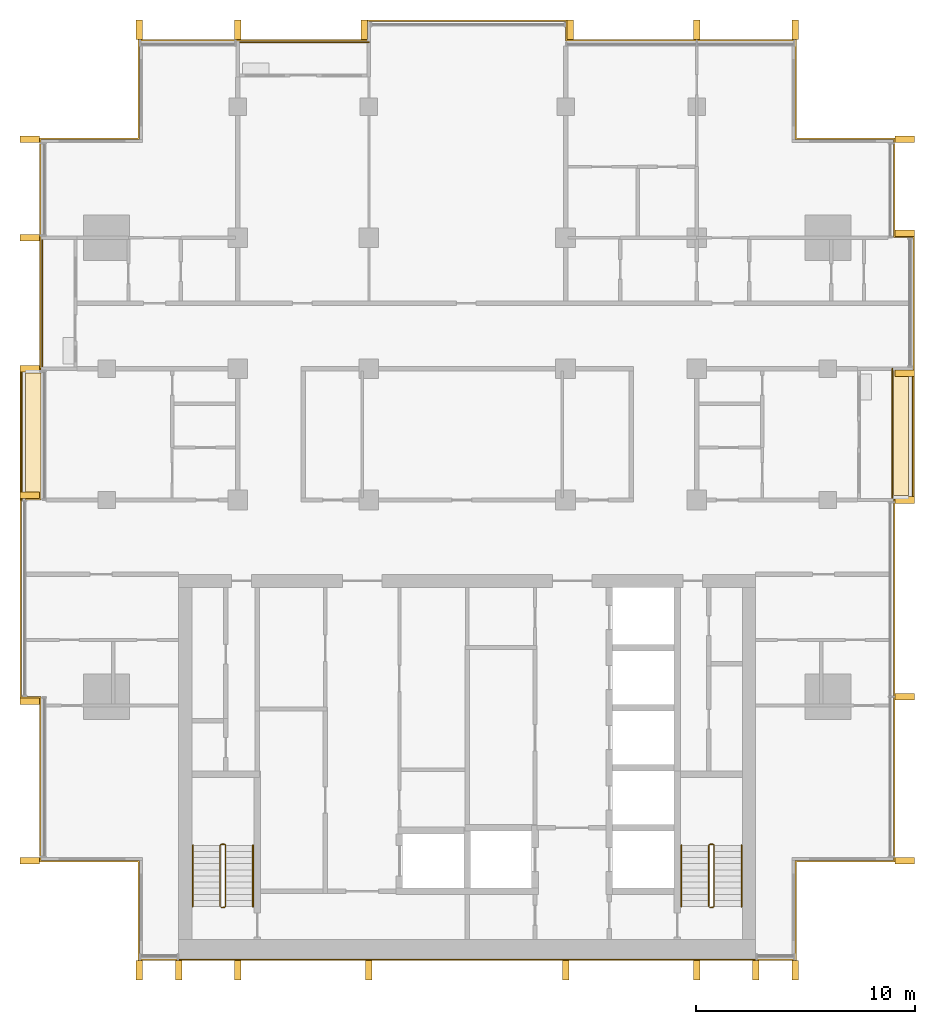
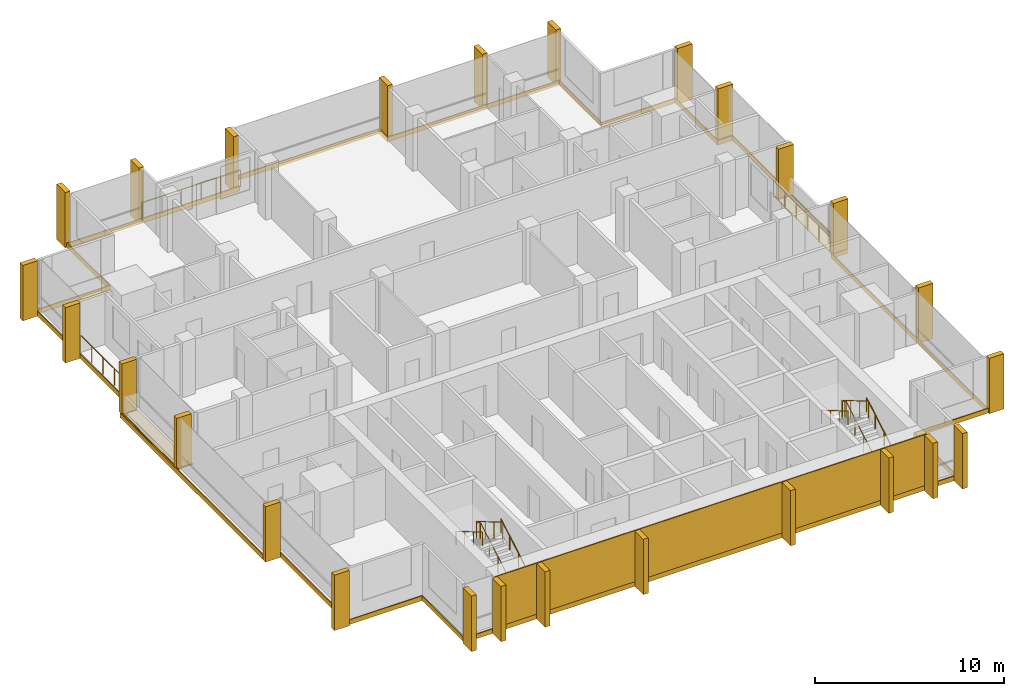
# One storey, part 16 of 16: 26 shading devices, 9 coverings, 9 railings.
"""IFC4 building model written with IfcOpenShell, lengths in metres."""

from ifc_helpers import new_model, si_unit, direction, frame, origin, origin_2d, place, context, subcontext, project, spatial, polyline, rectangle, circle, outline, extrude, material, layer, layer_set, type_object, element, save


model = new_model("IFC4")

# Units and contexts
model_context = context("Model", 3, precision=1e-05, world=origin(), true_north=direction((0.0, 1.0)))
body_context = subcontext(model_context, "Body", "Model", "MODEL_VIEW")
ifc_project = project(units=[si_unit("LENGTHUNIT", "METRE"), si_unit("AREAUNIT", "SQUARE_METRE"), si_unit("VOLUMEUNIT", "CUBIC_METRE"), si_unit("PLANEANGLEUNIT", "RADIAN"), si_unit("MASSUNIT", "GRAM", prefix="KILO")], contexts=[model_context])

# Site, building, storey
site_placement = place(None, origin())
site = spatial("IfcSite", under=ifc_project, at=site_placement, CompositionType="ELEMENT")
building_placement = place(site_placement, origin())
building = spatial("IfcBuilding", under=site, at=building_placement, Name="Finial Court Residences", CompositionType="ELEMENT")
storey_placement = place(building_placement, frame((0.0, 0.0, 208.699951171875)))
storey = spatial("IfcBuildingStorey", under=building, at=storey_placement, Name="L52", CompositionType="ELEMENT", Elevation=208.699951171875)

# Railings
ifc_material_1 = material(Name="Bronze anodised aluminium", Category="aluminium")
railing_type_1 = type_object("IfcRailingType", Name="Balcony guard 1100", PredefinedType="GUARDRAIL", material=ifc_material_1)
railing_1_placement = place(storey_placement, frame((-10.5, 16.449951171875, 0.0)))
element("IfcRailing", 1, at=railing_1_placement, inside=storey, type_object=railing_type_1, Name="E-L52-BALN2-R", PredefinedType="GUARDRAIL", context=body_context, shape_type="SweptSolid", body=[
    extrude(circle(Radius=0.02392578125, at=origin_2d()), frame((0.0, 0.0, 1.076171875), z_axis=(1.0, 0.0, 0.0), x_axis=(0.0, 1.0, 0.0)), (0.0, 0.0, 1.0), 6.0),
    extrude(circle(Radius=0.02099609375, at=origin_2d()), origin(), (0.0, 0.0, 1.0), 1.052001953125),
    extrude(circle(Radius=0.02099609375, at=origin_2d()), frame((1.199951171875, 0.0, 0.0)), (0.0, 0.0, 1.0), 1.052001953125),
    extrude(circle(Radius=0.02099609375, at=origin_2d()), frame((2.39990234375, 0.0, 0.0)), (0.0, 0.0, 1.0), 1.052001953125),
    extrude(circle(Radius=0.02099609375, at=origin_2d()), frame((3.60009765625, 0.0, 0.0)), (0.0, 0.0, 1.0), 1.052001953125),
    extrude(circle(Radius=0.02099609375, at=origin_2d()), frame((4.800048828125, 0.0, 0.0)), (0.0, 0.0, 1.0), 1.052001953125),
    extrude(circle(Radius=0.02099609375, at=origin_2d()), frame((6.0, 0.0, 0.0)), (0.0, 0.0, 1.0), 1.052001953125),
])
for number, where, name in (
    (2, (19.449951171875, -4.5, 0.0), "E-L52-BALE3-R"),
    (3, (-19.449951171875, 1.5, 0.0), "E-L52-BALW4-R"),
):
    element("IfcRailing", number, at=place(storey_placement, frame(where)), inside=storey, type_object=railing_type_1, Name=name, PredefinedType="GUARDRAIL", context=body_context, shape_type="SweptSolid", body=[
        extrude(circle(Radius=0.02392578125, at=origin_2d()), frame((0.0, 0.0, 1.076171875), z_axis=(0.0, 1.0, 0.0), x_axis=(-1.0, 0.0, 0.0)), (0.0, 0.0, 1.0), 6.0),
        extrude(circle(Radius=0.02099609375, at=origin_2d()), origin(), (0.0, 0.0, 1.0), 1.052001953125),
        extrude(circle(Radius=0.02099609375, at=origin_2d()), frame((0.0, 1.199951171875, 0.0)), (0.0, 0.0, 1.0), 1.052001953125),
        extrude(circle(Radius=0.02099609375, at=origin_2d()), frame((0.0, 2.39990234375, 0.0)), (0.0, 0.0, 1.0), 1.052001953125),
        extrude(circle(Radius=0.02099609375, at=origin_2d()), frame((0.0, 3.60009765625, 0.0)), (0.0, 0.0, 1.0), 1.052001953125),
        extrude(circle(Radius=0.02099609375, at=origin_2d()), frame((0.0, 4.800048828125, 0.0)), (0.0, 0.0, 1.0), 1.052001953125),
        extrude(circle(Radius=0.02099609375, at=origin_2d()), frame((0.0, 6.0, 0.0)), (0.0, 0.0, 1.0), 1.052001953125),
    ])

# Coverings
ifc_material_2 = material(Name="Natural limestone", Category="masonry")
ifc_layer_1 = layer(ifc_material_2, 0.06005859375)
ifc_layer_set_1 = layer_set([ifc_layer_1], Name="Limestone cladding to the blind core face 60")
covering_type_1 = type_object("IfcCoveringType", Name="Limestone cladding to the blind core face 60", PredefinedType="CLADDING", material=ifc_layer_set_1)
covering_1_placement = place(storey_placement, origin())
element("IfcCovering", 4, at=covering_1_placement, inside=storey, type_object=covering_type_1, Name="E-L52-CLAD1", PredefinedType="CLADDING", context=body_context, shape_type="SweptSolid", body=[
    extrude(outline(polyline([(-10.5, -25.56005859375), (-10.5, -25.5), (-13.199951171875, -25.5), (-13.199951171875, -25.56005859375), (-10.5, -25.56005859375)])), origin(), (0.0, 0.0, 1.0), 3.300048828125),
])
covering_2_placement = place(storey_placement, origin())
element("IfcCovering", 5, at=covering_2_placement, inside=storey, type_object=covering_type_1, Name="E-L52-CLAD2", PredefinedType="CLADDING", context=body_context, shape_type="SweptSolid", body=[
    extrude(outline(polyline([(-4.5, -25.56005859375), (-4.5, -25.5), (-10.5, -25.5), (-10.5, -25.56005859375), (-4.5, -25.56005859375)])), origin(), (0.0, 0.0, 1.0), 3.300048828125),
])
covering_3_placement = place(storey_placement, origin())
element("IfcCovering", 6, at=covering_3_placement, inside=storey, type_object=covering_type_1, Name="E-L52-CLAD3", PredefinedType="CLADDING", context=body_context, shape_type="SweptSolid", body=[
    extrude(outline(polyline([(4.5, -25.56005859375), (4.5, -25.5), (-4.5, -25.5), (-4.5, -25.56005859375), (4.5, -25.56005859375)])), origin(), (0.0, 0.0, 1.0), 3.300048828125),
])
covering_4_placement = place(storey_placement, origin())
element("IfcCovering", 7, at=covering_4_placement, inside=storey, type_object=covering_type_1, Name="E-L52-CLAD4", PredefinedType="CLADDING", context=body_context, shape_type="SweptSolid", body=[
    extrude(outline(polyline([(10.5, -25.56005859375), (10.5, -25.5), (4.5, -25.5), (4.5, -25.56005859375), (10.5, -25.56005859375)])), origin(), (0.0, 0.0, 1.0), 3.300048828125),
])
covering_5_placement = place(storey_placement, origin())
element("IfcCovering", 8, at=covering_5_placement, inside=storey, type_object=covering_type_1, Name="E-L52-CLAD5", PredefinedType="CLADDING", context=body_context, shape_type="SweptSolid", body=[
    extrude(outline(polyline([(13.199951171875, -25.56005859375), (13.199951171875, -25.5), (10.5, -25.5), (10.5, -25.56005859375), (13.199951171875, -25.56005859375)])), origin(), (0.0, 0.0, 1.0), 3.300048828125),
])

# Shading devices
shading_device_type = type_object("IfcShadingDeviceType", Name="Limestone fin 300 x 900", PredefinedType="USERDEFINED", material=ifc_material_2)
for number, where, z_axis, x_axis, name in (
    (9, (-15.0, 17.010009765625, -0.300048828125), (0.0, 0.0, 1.0), (1.0, 0.0, 0.0), "E-L52-FIN-N1"),
    (10, (-10.5, 17.010009765625, -0.300048828125), (0.0, 0.0, 1.0), (1.0, 0.0, 0.0), "E-L52-FIN-N2"),
    (11, (-4.7099609375, 17.010009765625, -0.300048828125), (0.0, 0.0, 1.0), (1.0, 0.0, 0.0), "E-L52-FIN-N3"),
    (12, (4.7099609375, 17.010009765625, -0.300048828125), (0.0, 0.0, 1.0), (1.0, 0.0, 0.0), "E-L52-FIN-N4"),
    (13, (10.5, 17.010009765625, -0.300048828125), (0.0, 0.0, 1.0), (1.0, 0.0, 0.0), "E-L52-FIN-N5"),
    (14, (15.0, 17.010009765625, -0.300048828125), (0.0, 0.0, 1.0), (1.0, 0.0, 0.0), "E-L52-FIN-N6"),
):
    element("IfcShadingDevice", number, at=place(storey_placement, frame(where, z_axis=z_axis, x_axis=x_axis)), inside=storey, type_object=shading_device_type, Name=name, ObjectType="FIN", PredefinedType="USERDEFINED", context=body_context, shape_type="SweptSolid", body=[
        extrude(rectangle(XDim=0.300048828125, YDim=0.89990234375, at=origin_2d()), origin(), (0.0, 0.0, 1.0), 3.580078125),
    ])
for number, where, z_axis, x_axis, name in (
    (15, (20.010009765625, -21.0, -0.300048828125), (0.0, 0.0, 1.0), (1.0, 0.0, 0.0), "E-L52-FIN-E7"),
    (16, (20.010009765625, -13.5, -0.300048828125), (0.0, 0.0, 1.0), (1.0, 0.0, 0.0), "E-L52-FIN-E8"),
):
    element("IfcShadingDevice", number, at=place(storey_placement, frame(where, z_axis=z_axis, x_axis=x_axis)), inside=storey, type_object=shading_device_type, Name=name, ObjectType="FIN", PredefinedType="USERDEFINED", context=body_context, shape_type="SweptSolid", body=[
        extrude(rectangle(XDim=0.89990234375, YDim=0.300048828125, at=origin_2d()), origin(), (0.0, 0.0, 1.0), 3.580078125),
    ])
for number, where, z_axis, x_axis, name in (
    (17, (20.010009765625, -4.5, 0.0400390625), (0.0, 0.0, 1.0), (1.0, 0.0, 0.0), "E-L52-FIN-E9"),
    (18, (20.010009765625, 1.2900390625, 0.0400390625), (0.0, 0.0, 1.0), (1.0, 0.0, 0.0), "E-L52-FIN-E10"),
):
    element("IfcShadingDevice", number, at=place(storey_placement, frame(where, z_axis=z_axis, x_axis=x_axis)), inside=storey, type_object=shading_device_type, Name=name, ObjectType="FIN", PredefinedType="USERDEFINED", context=body_context, shape_type="SweptSolid", body=[
        extrude(rectangle(XDim=0.89990234375, YDim=0.300048828125, at=origin_2d()), origin(), (0.0, 0.0, 1.0), 3.239990234375),
    ])
for number, where, z_axis, x_axis, name in (
    (19, (20.010009765625, 7.7099609375, -0.300048828125), (0.0, 0.0, 1.0), (1.0, 0.0, 0.0), "E-L52-FIN-E11"),
    (20, (20.010009765625, 12.0, -0.300048828125), (0.0, 0.0, 1.0), (1.0, 0.0, 0.0), "E-L52-FIN-E12"),
):
    element("IfcShadingDevice", number, at=place(storey_placement, frame(where, z_axis=z_axis, x_axis=x_axis)), inside=storey, type_object=shading_device_type, Name=name, ObjectType="FIN", PredefinedType="USERDEFINED", context=body_context, shape_type="SweptSolid", body=[
        extrude(rectangle(XDim=0.89990234375, YDim=0.300048828125, at=origin_2d()), origin(), (0.0, 0.0, 1.0), 3.580078125),
    ])
for number, where, z_axis, x_axis, name in (
    (21, (-15.0, -26.010009765625, -0.300048828125), (0.0, 0.0, 1.0), (1.0, 0.0, 0.0), "E-L52-FIN-S13"),
    (22, (-13.199951171875, -26.010009765625, -0.300048828125), (0.0, 0.0, 1.0), (1.0, 0.0, 0.0), "E-L52-FIN-S14"),
    (23, (-10.5, -26.010009765625, -0.300048828125), (0.0, 0.0, 1.0), (1.0, 0.0, 0.0), "E-L52-FIN-S15"),
    (24, (-4.5, -26.010009765625, -0.300048828125), (0.0, 0.0, 1.0), (1.0, 0.0, 0.0), "E-L52-FIN-S16"),
    (25, (4.5, -26.010009765625, -0.300048828125), (0.0, 0.0, 1.0), (1.0, 0.0, 0.0), "E-L52-FIN-S17"),
    (26, (10.5, -26.010009765625, -0.300048828125), (0.0, 0.0, 1.0), (1.0, 0.0, 0.0), "E-L52-FIN-S18"),
    (27, (13.199951171875, -26.010009765625, -0.300048828125), (0.0, 0.0, 1.0), (1.0, 0.0, 0.0), "E-L52-FIN-S19"),
    (28, (15.0, -26.010009765625, -0.300048828125), (0.0, 0.0, 1.0), (1.0, 0.0, 0.0), "E-L52-FIN-S20"),
):
    element("IfcShadingDevice", number, at=place(storey_placement, frame(where, z_axis=z_axis, x_axis=x_axis)), inside=storey, type_object=shading_device_type, Name=name, ObjectType="FIN", PredefinedType="USERDEFINED", context=body_context, shape_type="SweptSolid", body=[
        extrude(rectangle(XDim=0.300048828125, YDim=0.89990234375, at=origin_2d()), origin(), (0.0, 0.0, 1.0), 3.580078125),
    ])
for number, where, z_axis, x_axis, name in (
    (29, (-20.010009765625, -21.0, -0.300048828125), (0.0, 0.0, 1.0), (1.0, 0.0, 0.0), "E-L52-FIN-W21"),
    (30, (-20.010009765625, -13.7099609375, -0.300048828125), (0.0, 0.0, 1.0), (1.0, 0.0, 0.0), "E-L52-FIN-W22"),
):
    element("IfcShadingDevice", number, at=place(storey_placement, frame(where, z_axis=z_axis, x_axis=x_axis)), inside=storey, type_object=shading_device_type, Name=name, ObjectType="FIN", PredefinedType="USERDEFINED", context=body_context, shape_type="SweptSolid", body=[
        extrude(rectangle(XDim=0.89990234375, YDim=0.300048828125, at=origin_2d()), origin(), (0.0, 0.0, 1.0), 3.580078125),
    ])
for number, where, z_axis, x_axis, name in (
    (31, (-20.010009765625, -4.2900390625, 0.0400390625), (0.0, 0.0, 1.0), (1.0, 0.0, 0.0), "E-L52-FIN-W23"),
    (32, (-20.010009765625, 1.5, 0.0400390625), (0.0, 0.0, 1.0), (1.0, 0.0, 0.0), "E-L52-FIN-W24"),
):
    element("IfcShadingDevice", number, at=place(storey_placement, frame(where, z_axis=z_axis, x_axis=x_axis)), inside=storey, type_object=shading_device_type, Name=name, ObjectType="FIN", PredefinedType="USERDEFINED", context=body_context, shape_type="SweptSolid", body=[
        extrude(rectangle(XDim=0.89990234375, YDim=0.300048828125, at=origin_2d()), origin(), (0.0, 0.0, 1.0), 3.239990234375),
    ])
for number, where, z_axis, x_axis, name in (
    (33, (-20.010009765625, 7.5, -0.300048828125), (0.0, 0.0, 1.0), (1.0, 0.0, 0.0), "E-L52-FIN-W25"),
    (34, (-20.010009765625, 12.0, -0.300048828125), (0.0, 0.0, 1.0), (1.0, 0.0, 0.0), "E-L52-FIN-W26"),
):
    element("IfcShadingDevice", number, at=place(storey_placement, frame(where, z_axis=z_axis, x_axis=x_axis)), inside=storey, type_object=shading_device_type, Name=name, ObjectType="FIN", PredefinedType="USERDEFINED", context=body_context, shape_type="SweptSolid", body=[
        extrude(rectangle(XDim=0.89990234375, YDim=0.300048828125, at=origin_2d()), origin(), (0.0, 0.0, 1.0), 3.580078125),
    ])

# Coverings
ifc_material_3 = material(Name="Pale limestone", Category="masonry")
ifc_layer_2 = layer(ifc_material_3, 0.06005859375)
ifc_layer_set_2 = layer_set([ifc_layer_2], Name="Pale limestone slab-edge band 60")
covering_type_2 = type_object("IfcCoveringType", Name="Pale limestone slab-edge band 60", PredefinedType="CLADDING", material=ifc_layer_set_2)
covering_6_placement = place(storey_placement, frame((0.0, 0.0, -0.300048828125)))
element("IfcCovering", 35, at=covering_6_placement, inside=storey, type_object=covering_type_2, Name="E-L52-BAND1", PredefinedType="CLADDING", context=body_context, shape_type="SweptSolid", body=[
    extrude(outline(polyline([(-15.06005859375, 12.06005859375), (-15.06005859375, 16.56005859375), (-4.56005859375, 16.56005859375), (-4.56005859375, 17.4599609375), (4.56005859375, 17.4599609375), (4.56005859375, 16.56005859375), (15.06005859375, 16.56005859375), (15.06005859375, 12.06005859375), (19.56005859375, 12.06005859375), (19.56005859375, 7.56005859375), (20.4599609375, 7.56005859375), (20.4599609375, -4.56005859375), (19.56005859375, -4.56005859375), (19.56005859375, -21.06005859375), (15.06005859375, -21.06005859375), (15.06005859375, -25.56005859375), (-15.06005859375, -25.56005859375), (-15.06005859375, -21.06005859375), (-19.56005859375, -21.06005859375), (-19.56005859375, -13.56005859375), (-20.4599609375, -13.56005859375), (-20.4599609375, 1.56005859375), (-19.56005859375, 1.56005859375), (-19.56005859375, 12.06005859375), (-15.06005859375, 12.06005859375)]), holes=[polyline([(-19.5, 7.5), (-19.5, 1.5), (-20.39990234375, 1.5), (-20.39990234375, -4.5), (-20.39990234375, -13.5), (-19.5, -13.5), (-19.5, -21.0), (-15.0, -21.0), (-15.0, -25.5), (15.0, -25.5), (15.0, -21.0), (19.5, -21.0), (19.5, -4.5), (20.39990234375, -4.5), (20.39990234375, 1.5), (20.39990234375, 7.5), (19.5, 7.5), (19.5, 12.0), (15.0, 12.0), (15.0, 16.5), (4.5, 16.5), (4.5, 17.39990234375), (-4.5, 17.39990234375), (-4.5, 16.5), (-10.5, 16.5), (-15.0, 16.5), (-15.0, 12.0), (-19.5, 12.0), (-19.5, 7.5)])]), origin(), (0.0, 0.0, 1.0), 0.300048828125),
])
ifc_material_4 = material(Name="Bitumen membrane")
ifc_layer_3 = layer(ifc_material_4, 0.0400390625)
ifc_layer_set_3 = layer_set([ifc_layer_3], Name="Push box roofing, bitumen membrane 40")
covering_type_3 = type_object("IfcCoveringType", Name="Push box roofing, bitumen membrane 40", PredefinedType="ROOFING", material=ifc_layer_set_3)
covering_7_placement = place(storey_placement, origin())
element("IfcCovering", 36, at=covering_7_placement, inside=storey, type_object=covering_type_3, Name="E-L52-LED1", PredefinedType="ROOFING", context=body_context, shape_type="SweptSolid", body=[
    extrude(outline(polyline([(-20.39990234375, 1.5), (-19.5, 1.5), (-19.5, 1.449951171875), (-20.199951171875, 1.449951171875), (-20.35009765625, 1.449951171875), (-20.35009765625, -4.5), (-20.39990234375, -4.5), (-20.39990234375, 1.5)])), origin(), (0.0, 0.0, 1.0), 0.0400390625),
])
covering_8_placement = place(storey_placement, origin())
element("IfcCovering", 37, at=covering_8_placement, inside=storey, type_object=covering_type_3, Name="E-L52-LED1b", PredefinedType="ROOFING", context=body_context, shape_type="SweptSolid", body=[
    extrude(outline(polyline([(-19.5, -4.5), (-20.199951171875, -4.5), (-20.199951171875, 1.300048828125), (-19.5, 1.300048828125), (-19.5, -4.5)])), origin(), (0.0, 0.0, 1.0), 0.0400390625),
])
covering_9_placement = place(storey_placement, origin())
element("IfcCovering", 38, at=covering_9_placement, inside=storey, type_object=covering_type_3, Name="E-L52-LED2", PredefinedType="ROOFING", context=body_context, shape_type="SweptSolid", body=[
    extrude(outline(polyline([(19.5, 1.5), (20.39990234375, 1.5), (20.39990234375, -4.5), (19.5, -4.5), (19.5, 1.5)]), holes=[polyline([(19.510009765625, -4.449951171875), (20.199951171875, -4.449951171875), (20.35009765625, -4.449951171875), (20.35009765625, 1.489990234375), (20.199951171875, 1.489990234375), (20.199951171875, -4.300048828125), (19.510009765625, -4.300048828125), (19.510009765625, -4.449951171875)])]), origin(), (0.0, 0.0, 1.0), 0.0400390625),
])

# Railings
ifc_material_5 = material(Name="Stainless steel railing", Category="steel")
railing_type_2 = type_object("IfcRailingType", Name="Stair guard 1100", PredefinedType="GUARDRAIL", material=ifc_material_5)
railing_2_placement = place(storey_placement, frame((-11.10009765625, -23.14990234375, 0.0)))
element("IfcRailing", 39, at=railing_2_placement, inside=storey, type_object=railing_type_2, Name="L52 ST-1 stair guard 1", PredefinedType="GUARDRAIL", context=body_context, shape_type="SweptSolid", body=[
    extrude(circle(Radius=0.02392578125, at=origin_2d()), frame((0.0, 0.0, 1.076171875), z_axis=(-1.0, 0.0, 0.0), x_axis=(0.0, -1.0, 0.0)), (0.0, 0.0, 1.0), 0.14990234375),
    extrude(circle(Radius=0.02392578125, at=origin_2d()), frame((-0.14990234375, 0.0, 1.076171875), z_axis=(0.760004195007, 0.189305074214, 0.621737253547), x_axis=(-0.241699205484, 0.970351222016, 0.0)), (0.0, 0.0, 1.0), 0.26318359375),
    extrude(circle(Radius=0.02392578125, at=origin_2d()), frame((0.050048828125, 0.0498046875, 1.23974609375), z_axis=(0.0, 0.863360870873, 0.504586966384), x_axis=(-1.0, 0.0, 0.0)), (0.0, 0.0, 1.0), 3.2431640625),
    extrude(circle(Radius=0.02392578125, at=origin_2d()), frame((0.050048828125, 2.849853515625, 2.8759765625), z_axis=(-0.707106781187, 0.707106781187, 0.0), x_axis=(-0.707106781187, -0.707106781187, 0.0)), (0.0, 0.0, 1.0), 0.07080078125),
    extrude(circle(Radius=0.02392578125, at=origin_2d()), frame((0.0, 2.89990234375, 2.8759765625), z_axis=(-1.0, 0.0, 0.0), x_axis=(0.0, -1.0, 0.0)), (0.0, 0.0, 1.0), 0.14990234375),
    extrude(circle(Radius=0.02392578125, at=origin_2d()), frame((-0.14990234375, 2.89990234375, 2.8759765625), z_axis=(-0.280808744504, -0.280808744504, 0.917765164963), x_axis=(0.707106781187, -0.707106781187, 0.0)), (0.0, 0.0, 1.0), 0.17822265625),
    extrude(circle(Radius=0.02392578125, at=origin_2d()), frame((-0.199951171875, 2.849853515625, 3.03955078125), z_axis=(0.0, -0.863360870873, 0.504586966384), x_axis=(1.0, 0.0, 0.0)), (0.0, 0.0, 1.0), 3.2431640625),
    extrude(circle(Radius=0.02099609375, at=origin_2d()), origin(), (0.0, 0.0, 1.0), 1.052001953125),
    extrude(circle(Radius=0.02099609375, at=origin_2d()), frame((-0.14990234375, 0.0, 0.0)), (0.0, 0.0, 1.0), 1.052001953125),
    extrude(circle(Radius=0.02099609375, at=origin_2d()), frame((0.050048828125, 0.0498046875, 0.16357421875)), (0.0, 0.0, 1.0), 1.052001953125),
    extrude(circle(Radius=0.02099609375, at=origin_2d()), frame((0.050048828125, 0.983154296875, 0.708984375)), (0.0, 0.0, 1.0), 1.052001953125),
    extrude(circle(Radius=0.02099609375, at=origin_2d()), frame((0.050048828125, 1.91650390625, 1.254638671875)), (0.0, 0.0, 1.0), 1.052001953125),
    extrude(circle(Radius=0.02099609375, at=origin_2d()), frame((0.050048828125, 2.849853515625, 1.800048828125)), (0.0, 0.0, 1.0), 1.052001953125),
    extrude(circle(Radius=0.02099609375, at=origin_2d()), frame((0.0, 2.89990234375, 1.800048828125)), (0.0, 0.0, 1.0), 1.052001953125),
    extrude(circle(Radius=0.02099609375, at=origin_2d()), frame((-0.14990234375, 2.89990234375, 1.800048828125)), (0.0, 0.0, 1.0), 1.052001953125),
    extrude(circle(Radius=0.02099609375, at=origin_2d()), frame((-0.199951171875, 2.849853515625, 1.963623046875)), (0.0, 0.0, 1.0), 1.052001953125),
    extrude(circle(Radius=0.02099609375, at=origin_2d()), frame((-0.199951171875, 1.91650390625, 2.509033203125)), (0.0, 0.0, 1.0), 1.052001953125),
    extrude(circle(Radius=0.02099609375, at=origin_2d()), frame((-0.199951171875, 0.983154296875, 3.0546875)), (0.0, 0.0, 1.0), 1.052001953125),
    extrude(circle(Radius=0.02099609375, at=origin_2d()), frame((-0.199951171875, 0.0498046875, 3.60009765625)), (0.0, 0.0, 1.0), 1.052001953125),
])
railing_3_placement = place(storey_placement, frame((11.25, -23.14990234375, 0.0)))
element("IfcRailing", 40, at=railing_3_placement, inside=storey, type_object=railing_type_2, Name="L52 ST-2 stair guard 1", PredefinedType="GUARDRAIL", context=body_context, shape_type="SweptSolid", body=[
    extrude(circle(Radius=0.02392578125, at=origin_2d()), frame((0.0, 0.0, 1.076171875), z_axis=(-1.0, 0.0, 0.0), x_axis=(0.0, -1.0, 0.0)), (0.0, 0.0, 1.0), 0.14990234375),
    extrude(circle(Radius=0.02392578125, at=origin_2d()), frame((-0.14990234375, 0.0, 1.076171875), z_axis=(0.760004195007, 0.189305074214, 0.621737253547), x_axis=(-0.241699205484, 0.970351222016, 0.0)), (0.0, 0.0, 1.0), 0.26318359375),
    extrude(circle(Radius=0.02392578125, at=origin_2d()), frame((0.050048828125, 0.0498046875, 1.23974609375), z_axis=(0.0, 0.863360870873, 0.504586966384), x_axis=(-1.0, 0.0, 0.0)), (0.0, 0.0, 1.0), 3.2431640625),
    extrude(circle(Radius=0.02392578125, at=origin_2d()), frame((0.050048828125, 2.849853515625, 2.8759765625), z_axis=(-0.707106781187, 0.707106781187, 0.0), x_axis=(-0.707106781187, -0.707106781187, 0.0)), (0.0, 0.0, 1.0), 0.07080078125),
    extrude(circle(Radius=0.02392578125, at=origin_2d()), frame((0.0, 2.89990234375, 2.8759765625), z_axis=(-1.0, 0.0, 0.0), x_axis=(0.0, -1.0, 0.0)), (0.0, 0.0, 1.0), 0.14990234375),
    extrude(circle(Radius=0.02392578125, at=origin_2d()), frame((-0.14990234375, 2.89990234375, 2.8759765625), z_axis=(-0.280808744504, -0.280808744504, 0.917765164963), x_axis=(0.707106781187, -0.707106781187, 0.0)), (0.0, 0.0, 1.0), 0.17822265625),
    extrude(circle(Radius=0.02392578125, at=origin_2d()), frame((-0.199951171875, 2.849853515625, 3.03955078125), z_axis=(0.0, -0.863360870873, 0.504586966384), x_axis=(1.0, 0.0, 0.0)), (0.0, 0.0, 1.0), 3.2431640625),
    extrude(circle(Radius=0.02099609375, at=origin_2d()), origin(), (0.0, 0.0, 1.0), 1.052001953125),
    extrude(circle(Radius=0.02099609375, at=origin_2d()), frame((-0.14990234375, 0.0, 0.0)), (0.0, 0.0, 1.0), 1.052001953125),
    extrude(circle(Radius=0.02099609375, at=origin_2d()), frame((0.050048828125, 0.0498046875, 0.16357421875)), (0.0, 0.0, 1.0), 1.052001953125),
    extrude(circle(Radius=0.02099609375, at=origin_2d()), frame((0.050048828125, 0.983154296875, 0.708984375)), (0.0, 0.0, 1.0), 1.052001953125),
    extrude(circle(Radius=0.02099609375, at=origin_2d()), frame((0.050048828125, 1.91650390625, 1.254638671875)), (0.0, 0.0, 1.0), 1.052001953125),
    extrude(circle(Radius=0.02099609375, at=origin_2d()), frame((0.050048828125, 2.849853515625, 1.800048828125)), (0.0, 0.0, 1.0), 1.052001953125),
    extrude(circle(Radius=0.02099609375, at=origin_2d()), frame((0.0, 2.89990234375, 1.800048828125)), (0.0, 0.0, 1.0), 1.052001953125),
    extrude(circle(Radius=0.02099609375, at=origin_2d()), frame((-0.14990234375, 2.89990234375, 1.800048828125)), (0.0, 0.0, 1.0), 1.052001953125),
    extrude(circle(Radius=0.02099609375, at=origin_2d()), frame((-0.199951171875, 2.849853515625, 1.963623046875)), (0.0, 0.0, 1.0), 1.052001953125),
    extrude(circle(Radius=0.02099609375, at=origin_2d()), frame((-0.199951171875, 1.91650390625, 2.509033203125)), (0.0, 0.0, 1.0), 1.052001953125),
    extrude(circle(Radius=0.02099609375, at=origin_2d()), frame((-0.199951171875, 0.983154296875, 3.0546875)), (0.0, 0.0, 1.0), 1.052001953125),
    extrude(circle(Radius=0.02099609375, at=origin_2d()), frame((-0.199951171875, 0.0498046875, 3.60009765625)), (0.0, 0.0, 1.0), 1.052001953125),
])
railing_type_3 = type_object("IfcRailingType", Name="Stair handrail 900", PredefinedType="HANDRAIL", material=ifc_material_5)
railing_4_placement = place(storey_placement, frame((-9.800048828125, -23.10009765625, 0.16357421875)))
element("IfcRailing", 41, at=railing_4_placement, inside=storey, type_object=railing_type_3, Name="L52 ST-1 stair handrail 1", PredefinedType="HANDRAIL", context=body_context, shape_type="SweptSolid", body=[
    extrude(circle(Radius=0.02392578125, at=origin_2d()), frame((0.0, 0.0, 0.8759765625), z_axis=(0.0, 0.863360870873, 0.504586966384), x_axis=(-1.0, 0.0, 0.0)), (0.0, 0.0, 1.0), 3.2431640625),
    extrude(circle(Radius=0.02099609375, at=origin_2d()), origin(), (0.0, 0.0, 1.0), 0.851806640625),
    extrude(circle(Radius=0.02099609375, at=origin_2d()), frame((0.0, 0.933349609375, 0.54541015625)), (0.0, 0.0, 1.0), 0.851806640625),
    extrude(circle(Radius=0.02099609375, at=origin_2d()), frame((0.0, 1.86669921875, 1.091064453125)), (0.0, 0.0, 1.0), 0.851806640625),
    extrude(circle(Radius=0.02099609375, at=origin_2d()), frame((0.0, 2.800048828125, 1.636474609375)), (0.0, 0.0, 1.0), 0.851806640625),
])
railing_5_placement = place(storey_placement, frame((-12.550048828125, -20.300048828125, 1.963623046875)))
element("IfcRailing", 42, at=railing_5_placement, inside=storey, type_object=railing_type_3, Name="L52 ST-1 stair handrail 2", PredefinedType="HANDRAIL", context=body_context, shape_type="SweptSolid", body=[
    extrude(circle(Radius=0.02392578125, at=origin_2d()), frame((0.0, 0.0, 0.8759765625), z_axis=(0.0, -0.863360870873, 0.504586966384), x_axis=(1.0, 0.0, 0.0)), (0.0, 0.0, 1.0), 3.2431640625),
    extrude(circle(Radius=0.02099609375, at=origin_2d()), origin(), (0.0, 0.0, 1.0), 0.851806640625),
    extrude(circle(Radius=0.02099609375, at=origin_2d()), frame((0.0, -0.933349609375, 0.54541015625)), (0.0, 0.0, 1.0), 0.851806640625),
    extrude(circle(Radius=0.02099609375, at=origin_2d()), frame((0.0, -1.86669921875, 1.091064453125)), (0.0, 0.0, 1.0), 0.851806640625),
    extrude(circle(Radius=0.02099609375, at=origin_2d()), frame((0.0, -2.800048828125, 1.636474609375)), (0.0, 0.0, 1.0), 0.851806640625),
])
railing_6_placement = place(storey_placement, frame((12.550048828125, -23.10009765625, 0.16357421875)))
element("IfcRailing", 43, at=railing_6_placement, inside=storey, type_object=railing_type_3, Name="L52 ST-2 stair handrail 1", PredefinedType="HANDRAIL", context=body_context, shape_type="SweptSolid", body=[
    extrude(circle(Radius=0.02392578125, at=origin_2d()), frame((0.0, 0.0, 0.8759765625), z_axis=(0.0, 0.863360870873, 0.504586966384), x_axis=(-1.0, 0.0, 0.0)), (0.0, 0.0, 1.0), 3.2431640625),
    extrude(circle(Radius=0.02099609375, at=origin_2d()), origin(), (0.0, 0.0, 1.0), 0.851806640625),
    extrude(circle(Radius=0.02099609375, at=origin_2d()), frame((0.0, 0.933349609375, 0.54541015625)), (0.0, 0.0, 1.0), 0.851806640625),
    extrude(circle(Radius=0.02099609375, at=origin_2d()), frame((0.0, 1.86669921875, 1.091064453125)), (0.0, 0.0, 1.0), 0.851806640625),
    extrude(circle(Radius=0.02099609375, at=origin_2d()), frame((0.0, 2.800048828125, 1.636474609375)), (0.0, 0.0, 1.0), 0.851806640625),
])
railing_7_placement = place(storey_placement, frame((9.800048828125, -20.300048828125, 1.963623046875)))
element("IfcRailing", 44, at=railing_7_placement, inside=storey, type_object=railing_type_3, Name="L52 ST-2 stair handrail 2", PredefinedType="HANDRAIL", context=body_context, shape_type="SweptSolid", body=[
    extrude(circle(Radius=0.02392578125, at=origin_2d()), frame((0.0, 0.0, 0.8759765625), z_axis=(0.0, -0.863360870873, 0.504586966384), x_axis=(1.0, 0.0, 0.0)), (0.0, 0.0, 1.0), 3.2431640625),
    extrude(circle(Radius=0.02099609375, at=origin_2d()), origin(), (0.0, 0.0, 1.0), 0.851806640625),
    extrude(circle(Radius=0.02099609375, at=origin_2d()), frame((0.0, -0.933349609375, 0.54541015625)), (0.0, 0.0, 1.0), 0.851806640625),
    extrude(circle(Radius=0.02099609375, at=origin_2d()), frame((0.0, -1.86669921875, 1.091064453125)), (0.0, 0.0, 1.0), 0.851806640625),
    extrude(circle(Radius=0.02099609375, at=origin_2d()), frame((0.0, -2.800048828125, 1.636474609375)), (0.0, 0.0, 1.0), 0.851806640625),
])

save(model, "model.ifc")
